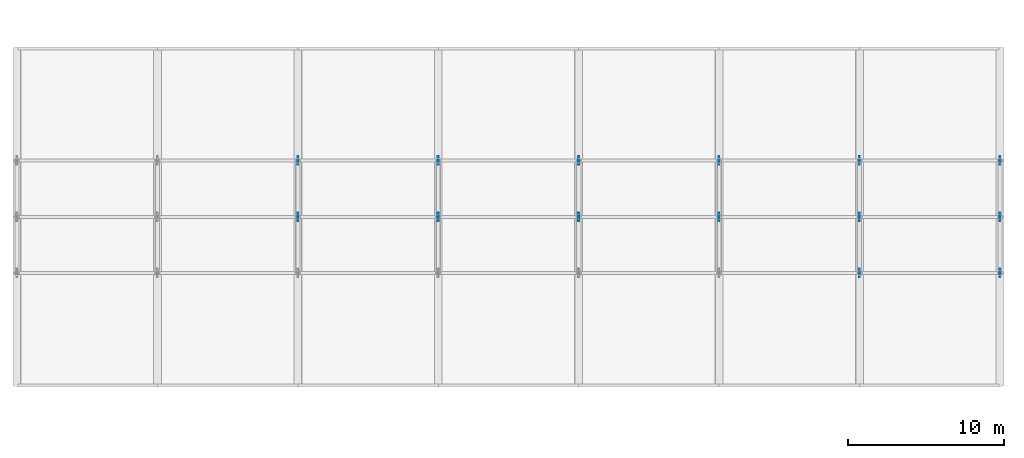
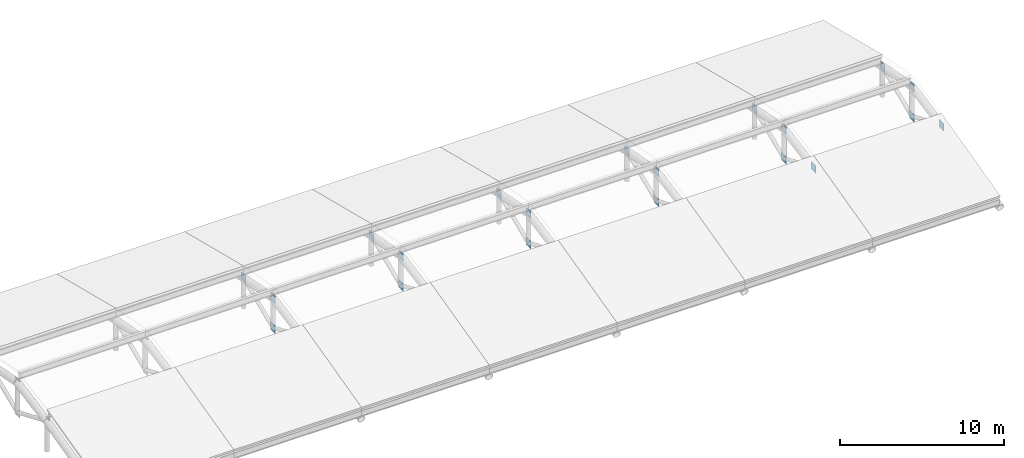
# One storey, part 45 of 52: 20 plates.
"""IFC4 building model written with IfcOpenShell, lengths in metres."""

from ifc_helpers import new_model, si_unit, direction, frame, origin, origin_2d, place, context, subcontext, project, spatial, rectangle, extrude, material, layer, layer_set, type_object, element, save


model = new_model("IFC4")

# Units and contexts
model_context = context("Model", 3, precision=1e-05, world=origin(), true_north=direction((0.0, 1.0)))
body_context = subcontext(model_context, "Body", "Model", "MODEL_VIEW")
ifc_project = project(units=[si_unit("LENGTHUNIT", "METRE"), si_unit("AREAUNIT", "SQUARE_METRE"), si_unit("VOLUMEUNIT", "CUBIC_METRE"), si_unit("PLANEANGLEUNIT", "RADIAN"), si_unit("MASSUNIT", "GRAM", prefix="KILO")], contexts=[model_context])

# Site, building, storey
site_placement = place(None, origin())
site = spatial("IfcSite", under=ifc_project, at=site_placement, CompositionType="ELEMENT")
building_placement = place(site_placement, origin())
building = spatial("IfcBuilding", under=site, at=building_placement, Name="Celestram Park Convention Centre", CompositionType="ELEMENT")
storey_placement = place(building_placement, frame((0.0, 0.0, 24.300048828125)))
storey = spatial("IfcBuildingStorey", under=building, at=storey_placement, Name="L05", CompositionType="ELEMENT", Elevation=24.300048828125)

# Plates
ifc_material = material(Name="Steel ASTM A572 Grade 50", Category="steel")
ifc_layer = layer(ifc_material, 0.0400390625)
ifc_layer_set = layer_set([ifc_layer], Name="Steel ASTM A572 Grade 50")
plate_type = type_object("IfcPlateType", Name="STR-PLT-GP40", PredefinedType="USERDEFINED", material=ifc_layer_set)
for number, where, z_axis, x_axis, name in (
    (1, (171.0, 140.39990234375, 2.13916015625), (0.0, 0.0, 1.0), (0.0, 1.0, 0.0), "V2 truss node gusset plate"),
    (2, (171.0, 140.39990234375, -0.06103515625), (0.0, 0.0, 1.0), (0.0, 1.0, 0.0), "V2 truss node gusset plate"),
    (3, (171.0, 144.0, 1.45458984375), (0.0, 0.0, 1.0), (0.0, 1.0, 0.0), "V2 truss node gusset plate"),
    (4, (180.0, 140.39990234375, 2.13916015625), (0.0, 0.0, 1.0), (0.0, 1.0, 0.0), "V2 truss node gusset plate"),
    (5, (180.0, 140.39990234375, -0.06103515625), (0.0, 0.0, 1.0), (0.0, 1.0, 0.0), "V2 truss node gusset plate"),
    (6, (180.0, 144.0, 1.45458984375), (0.0, 0.0, 1.0), (0.0, 1.0, 0.0), "V2 truss node gusset plate"),
    (7, (189.0, 140.39990234375, 2.13916015625), (0.0, 0.0, 1.0), (0.0, 1.0, 0.0), "V2 truss node gusset plate"),
    (8, (189.0, 140.39990234375, -0.06103515625), (0.0, 0.0, 1.0), (0.0, 1.0, 0.0), "V2 truss node gusset plate"),
    (9, (189.0, 144.0, 1.45458984375), (0.0, 0.0, 1.0), (0.0, 1.0, 0.0), "V2 truss node gusset plate"),
    (10, (198.0, 140.39990234375, 2.13916015625), (0.0, 0.0, 1.0), (0.0, 1.0, 0.0), "V2 truss node gusset plate"),
    (11, (198.0, 140.39990234375, -0.06103515625), (0.0, 0.0, 1.0), (0.0, 1.0, 0.0), "V2 truss node gusset plate"),
    (12, (198.0, 144.0, 1.45458984375), (0.0, 0.0, 1.0), (0.0, 1.0, 0.0), "V2 truss node gusset plate"),
    (13, (207.0, 136.800048828125, 1.45458984375), (0.0, 0.0, 1.0), (0.0, 1.0, 0.0), "V2 truss node gusset plate"),
    (14, (207.0, 140.39990234375, 2.13916015625), (0.0, 0.0, 1.0), (0.0, 1.0, 0.0), "V2 truss node gusset plate"),
    (15, (207.0, 140.39990234375, -0.06103515625), (0.0, 0.0, 1.0), (0.0, 1.0, 0.0), "V2 truss node gusset plate"),
    (16, (207.0, 144.0, 1.45458984375), (0.0, 0.0, 1.0), (0.0, 1.0, 0.0), "V2 truss node gusset plate"),
    (17, (216.0, 136.800048828125, 1.45458984375), (0.0, 0.0, 1.0), (0.0, 1.0, 0.0), "V2 truss node gusset plate"),
    (18, (216.0, 140.39990234375, 2.13916015625), (0.0, 0.0, 1.0), (0.0, 1.0, 0.0), "V2 truss node gusset plate"),
    (19, (216.0, 140.39990234375, -0.06103515625), (0.0, 0.0, 1.0), (0.0, 1.0, 0.0), "V2 truss node gusset plate"),
    (20, (216.0, 144.0, 1.45458984375), (0.0, 0.0, 1.0), (0.0, 1.0, 0.0), "V2 truss node gusset plate"),
):
    element("IfcPlate", number, at=place(storey_placement, frame(where, z_axis=z_axis, x_axis=x_axis)), inside=storey, type_object=plate_type, Name=name, ObjectType="GUSSET_PLATE", PredefinedType="USERDEFINED", context=body_context, shape_type="SweptSolid", body=[
        extrude(rectangle(XDim=0.550048828125, YDim=0.0400390625, at=origin_2d()), origin(), (0.0, 0.0, 1.0), 0.550048828125),
    ])

save(model, "model.ifc")
